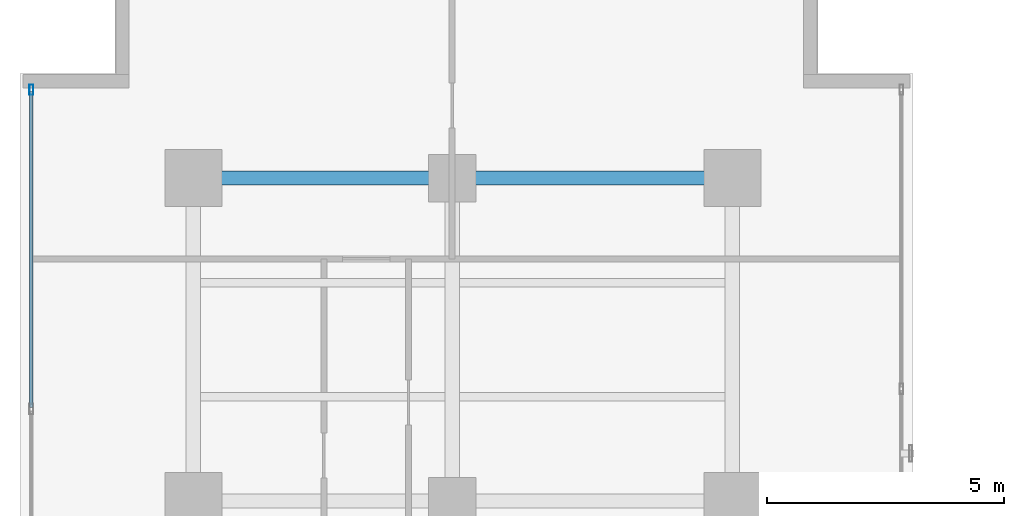
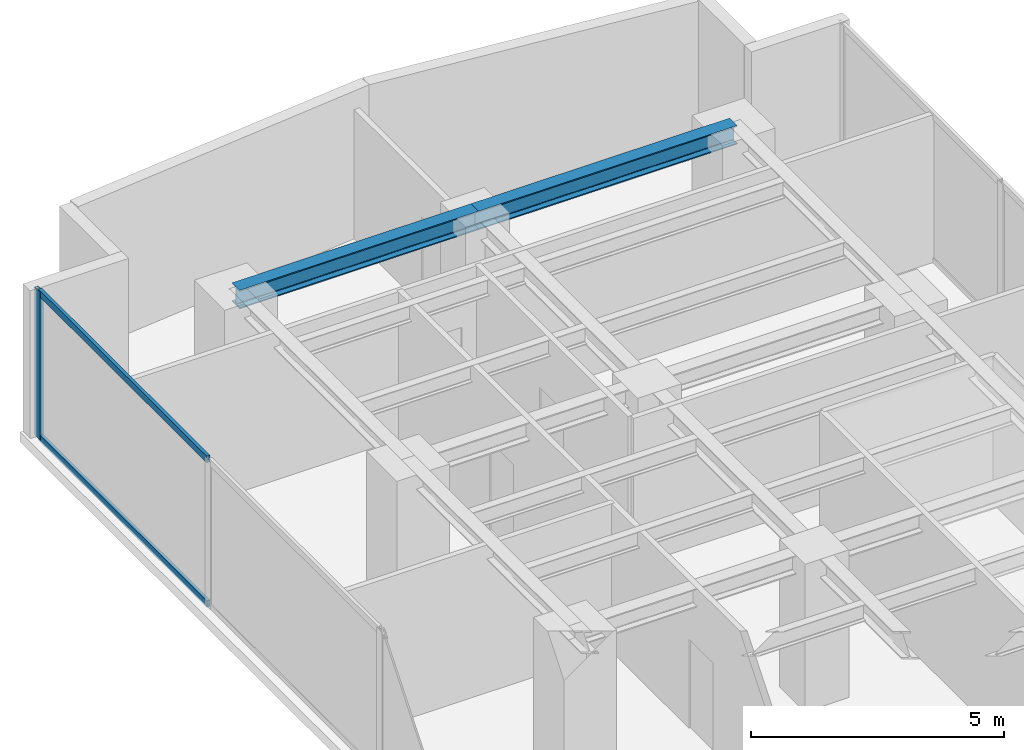
# One storey, part 16 of 24: 3 members, 2 beams, 1 element without a shape of its own.
"""IFC4 building model written with IfcOpenShell, lengths in metres."""

from ifc_helpers import new_model, si_unit, direction, frame, origin, origin_with_axes, origin_2d, place, context, subcontext, project, spatial, hollow_rectangle, i_section, extrude, source, transform, mapped, material, layer, layer_set, material_profile, profile_set, type_object, element, aggregate, save


model = new_model("IFC4")

# Units and contexts
model_context = context("Model", 3, precision=1e-05, world=origin(), true_north=direction((0.0, 1.0)))
body_context = subcontext(model_context, "Body", "Model", "MODEL_VIEW")
ifc_project = project(units=[si_unit("LENGTHUNIT", "METRE"), si_unit("AREAUNIT", "SQUARE_METRE"), si_unit("VOLUMEUNIT", "CUBIC_METRE"), si_unit("PLANEANGLEUNIT", "RADIAN"), si_unit("MASSUNIT", "GRAM", prefix="KILO")], contexts=[model_context])

# Site, building, storey
site_placement = place(None, origin())
site = spatial("IfcSite", under=ifc_project, at=site_placement, CompositionType="ELEMENT")
building_placement = place(site_placement, origin())
building = spatial("IfcBuilding", under=site, at=building_placement, Name="Kolvaren Waterfront Exchange", CompositionType="ELEMENT")
storey_placement = place(building_placement, frame((0.0, 0.0, 184.199951171875)))
storey = spatial("IfcBuildingStorey", under=building, at=storey_placement, Name="L47", CompositionType="ELEMENT", Elevation=184.199951171875)

# Beams
ifc_material_1 = material(Name="Steel S355", Category="steel")
ifc_material_profile_1 = material_profile(ifc_material_1, i_section(OverallWidth=0.300048828125, OverallDepth=0.449951171875, WebThickness=0.013916015625, FlangeThickness=0.02587890625, FilletRadius=0.027099609375, at=origin_2d()), Name="HEB450")
ifc_profile_set_1 = profile_set([ifc_material_profile_1], Name="Steel S355")
beam_type = type_object("IfcBeamType", Name="STR-BM-HEB450", PredefinedType="BEAM", material=ifc_profile_set_1)
beam_1_placement = place(storey_placement, frame((7.449951171875, 44.60009765625, 3.3349609375), z_axis=(1.0, 0.0, 0.0), x_axis=(0.0, 1.0, 0.0)))
element("IfcBeam", 1, at=beam_1_placement, inside=storey, type_object=beam_type, Name="L47 north-arm girder 4A", PredefinedType="BEAM", context=body_context, shape_type="SweptSolid", body=[
    extrude(i_section(OverallWidth=0.300048828125, OverallDepth=0.449951171875, WebThickness=0.013916015625, FlangeThickness=0.02587890625, FilletRadius=0.027099609375, at=origin_2d()), origin(), (0.0, 0.0, 1.0), 5.449951171875),
])
beam_2_placement = place(storey_placement, frame((12.89990234375, 44.60009765625, 3.3349609375), z_axis=(1.0, 0.0, 0.0), x_axis=(0.0, 1.0, 0.0)))
element("IfcBeam", 2, at=beam_2_placement, inside=storey, type_object=beam_type, Name="L47 north-arm girder 4B", PredefinedType="BEAM", context=body_context, shape_type="SweptSolid", body=[
    extrude(i_section(OverallWidth=0.300048828125, OverallDepth=0.449951171875, WebThickness=0.013916015625, FlangeThickness=0.02587890625, FilletRadius=0.027099609375, at=origin_2d()), origin(), (0.0, 0.0, 1.0), 5.900146484375),
])

# Curtain wall, members
ifc_material_2 = material(Name="Anodised aluminium 6063-T6", Category="aluminium")
ifc_layer = layer(ifc_material_2, 0.219970703125, Name="Anodised aluminium 6063-T6")
ifc_layer_set = layer_set([ifc_layer], Name="Anodised aluminium 6063-T6")
curtain_wall_type = type_object("IfcCurtainWallType", Name="ARC-CW-SYS2", PredefinedType="USERDEFINED", material=ifc_layer_set)
curtain_wall_placement = place(storey_placement, origin())
curtain_wall = element("IfcCurtainWall", 3, at=curtain_wall_placement, inside=storey, type_object=curtain_wall_type, Name="L47 stick curtain wall CW2 (CW-L47-W)", ObjectType="STICK CURTAIN WALL", PredefinedType="USERDEFINED")
ifc_material_profile_2 = material_profile(ifc_material_2, hollow_rectangle(XDim=0.080078125, YDim=0.219970703125, WallThickness=0.0048828125, at=origin_2d()), Name="ALU-MUL-220x80x5")
ifc_profile_set_2 = profile_set([ifc_material_profile_2], Name="Anodised aluminium 6063-T6")
member_type_1 = type_object("IfcMemberType", Name="ARC-CWM-220", PredefinedType="MULLION", material=ifc_profile_set_2)
shared_shape_1 = source(origin_with_axes(), body_context, "Body", "SweptSolid", [
    extrude(hollow_rectangle(XDim=0.080078125, YDim=0.219970703125, WallThickness=0.0048828125, at=origin_2d()), origin(), (0.0, 0.0, 1.0), 3.56005859375),
])
member_1_placement = place(storey_placement, frame((4.0400390625, 46.4599609375, 0.0), z_axis=(0.0, 0.0, 1.0), x_axis=(-1.0, 0.0, 0.0)))
member_1 = element("IfcMember", 4, at=member_1_placement, type_object=member_type_1, Name="CW2 mullion 7", PredefinedType="MULLION", context=body_context, shape_type="MappedRepresentation", body=[
    mapped(shared_shape_1, transform((0.0, 0.0, 0.0), x_axis=(1.0, 0.0, 0.0), y_axis=(0.0, 1.0, 0.0), z_axis=(0.0, 0.0, 1.0), scale=1.0)),
])
ifc_material_profile_3 = material_profile(ifc_material_2, hollow_rectangle(XDim=0.074951171875, YDim=0.159912109375, WallThickness=0.00439453125, at=origin_2d()), Name="ALU-TRN-160x75x4.5")
ifc_profile_set_3 = profile_set([ifc_material_profile_3], Name="Anodised aluminium 6063-T6")
member_type_2 = type_object("IfcMemberType", Name="ARC-CWT-160", PredefinedType="USERDEFINED", material=ifc_profile_set_3)
shared_shape_2 = source(origin_with_axes(), body_context, "Body", "SweptSolid", [
    extrude(hollow_rectangle(XDim=0.074951171875, YDim=0.159912109375, WallThickness=0.00439453125, at=origin_2d()), origin(), (0.0, 0.0, 1.0), 6.646484375),
])
member_2_placement = place(storey_placement, frame((4.0400390625, 39.7734375, 0.03759765625), z_axis=(0.0, 1.0, 0.0), x_axis=(-1.0, 0.0, 0.0)))
member_2 = element("IfcMember", 5, at=member_2_placement, type_object=member_type_2, Name="CW2 transom 6.1", ObjectType="TRANSOM", PredefinedType="USERDEFINED", context=body_context, shape_type="MappedRepresentation", body=[
    mapped(shared_shape_2, transform((0.0, 0.0, 0.0), x_axis=(1.0, 0.0, 0.0), y_axis=(0.0, 1.0, 0.0), z_axis=(0.0, 0.0, 1.0), scale=1.0)),
])
member_3_placement = place(storey_placement, frame((4.0400390625, 39.7734375, 3.5224609375), z_axis=(0.0, 1.0, 0.0), x_axis=(-1.0, 0.0, 0.0)))
member_3 = element("IfcMember", 6, at=member_3_placement, type_object=member_type_2, Name="CW2 transom 6.2", ObjectType="TRANSOM", PredefinedType="USERDEFINED", context=body_context, shape_type="MappedRepresentation", body=[
    mapped(shared_shape_2, transform((0.0, 0.0, 0.0), x_axis=(1.0, 0.0, 0.0), y_axis=(0.0, 1.0, 0.0), z_axis=(0.0, 0.0, 1.0), scale=1.0)),
])
aggregate(curtain_wall, [member_1, member_2, member_3])

save(model, "model.ifc")
